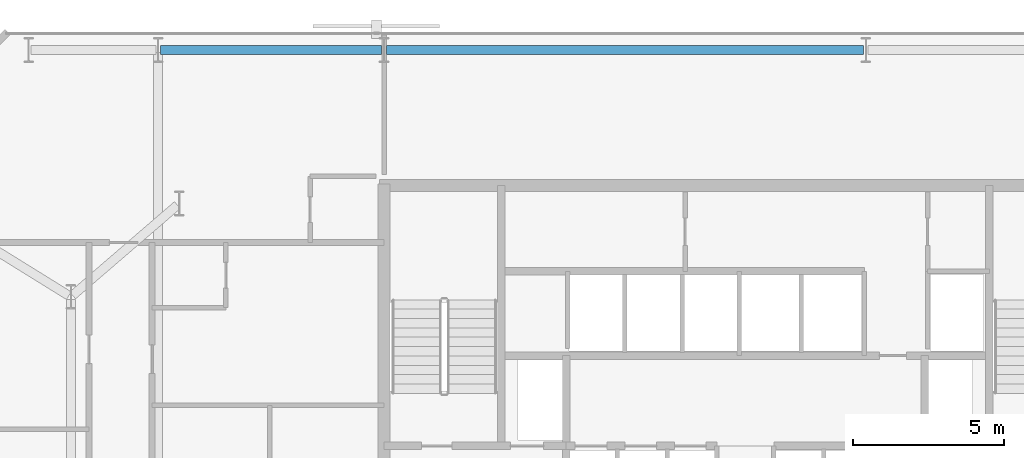
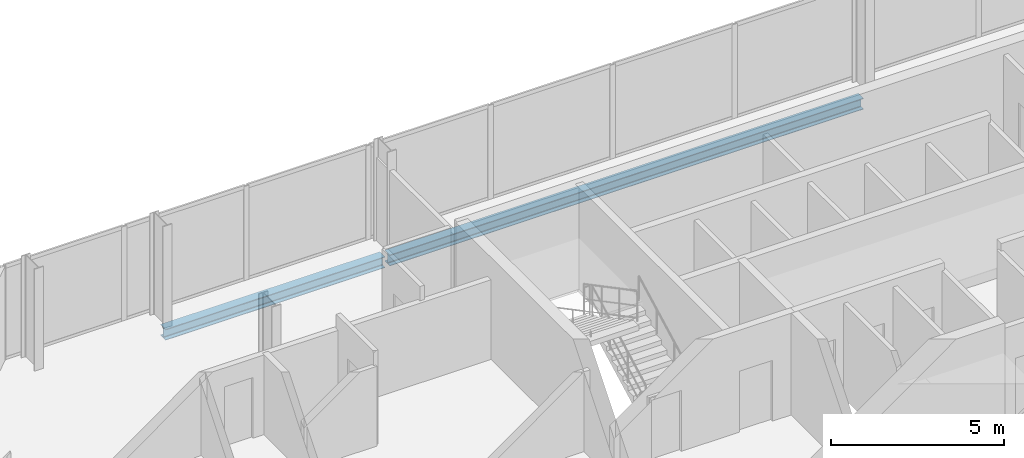
# One storey, part 21 of 33: 2 beams.
"""IFC4 building model written with IfcOpenShell, lengths in metres."""

from ifc_helpers import new_model, si_unit, direction, frame, origin, origin_2d, place, context, subcontext, project, spatial, i_section, extrude, material, material_profile, profile_set, type_object, element, save


model = new_model("IFC4")

# Units and contexts
model_context = context("Model", 3, precision=1e-05, world=origin(), true_north=direction((0.0, 1.0)))
body_context = subcontext(model_context, "Body", "Model", "MODEL_VIEW")
ifc_project = project(units=[si_unit("LENGTHUNIT", "METRE"), si_unit("AREAUNIT", "SQUARE_METRE"), si_unit("VOLUMEUNIT", "CUBIC_METRE"), si_unit("PLANEANGLEUNIT", "RADIAN"), si_unit("MASSUNIT", "GRAM", prefix="KILO")], contexts=[model_context])

# Site, building, storey
site_placement = place(None, origin())
site = spatial("IfcSite", under=ifc_project, at=site_placement, CompositionType="ELEMENT")
building_placement = place(site_placement, origin())
building = spatial("IfcBuilding", under=site, at=building_placement, Name="Catumbela Crestline Tower", CompositionType="ELEMENT")
storey_placement = place(building_placement, frame((0.0, 0.0, 51.0)))
storey = spatial("IfcBuildingStorey", under=building, at=storey_placement, Name="L12", CompositionType="ELEMENT", Elevation=51.0)

# Beams
ifc_material = material(Name="Structural steel S355J2", Category="steel")
ifc_material_profile = material_profile(ifc_material, i_section(OverallWidth=0.3, OverallDepth=0.39, WebThickness=0.011, FlangeThickness=0.019, FilletRadius=0.027, at=origin_2d()), Name="HEA 400")
ifc_profile_set = profile_set([ifc_material_profile], Name="Structural steel S355J2")
beam_type = type_object("IfcBeamType", Name="BS-HEA400", PredefinedType="SPANDREL", material=ifc_profile_set)
beam_1_placement = place(storey_placement, frame((8.58, 47.4, -0.455), z_axis=(1.0, 0.0, 0.0), x_axis=(0.0, 1.0, 0.0)))
element("IfcBeam", 1, at=beam_1_placement, inside=storey, type_object=beam_type, Name="L12 Spandrel SP-L12-NF20", PredefinedType="SPANDREL", context=body_context, shape_type="SweptSolid", body=[
    extrude(i_section(OverallWidth=0.3, OverallDepth=0.39, WebThickness=0.011, FlangeThickness=0.019, FilletRadius=0.027, at=origin_2d()), origin(), (0.0, 0.0, 1.0), 7.34),
])
beam_2_placement = place(storey_placement, frame((16.08, 47.4, -0.455), z_axis=(1.0, 0.0, 0.0), x_axis=(0.0, 1.0, 0.0)))
element("IfcBeam", 2, at=beam_2_placement, inside=storey, type_object=beam_type, Name="L12 Spandrel SP-L12-NF21", PredefinedType="SPANDREL", context=body_context, shape_type="SweptSolid", body=[
    extrude(i_section(OverallWidth=0.3, OverallDepth=0.39, WebThickness=0.011, FlangeThickness=0.019, FilletRadius=0.027, at=origin_2d()), origin(), (0.0, 0.0, 1.0), 15.84),
])

save(model, "model.ifc")
